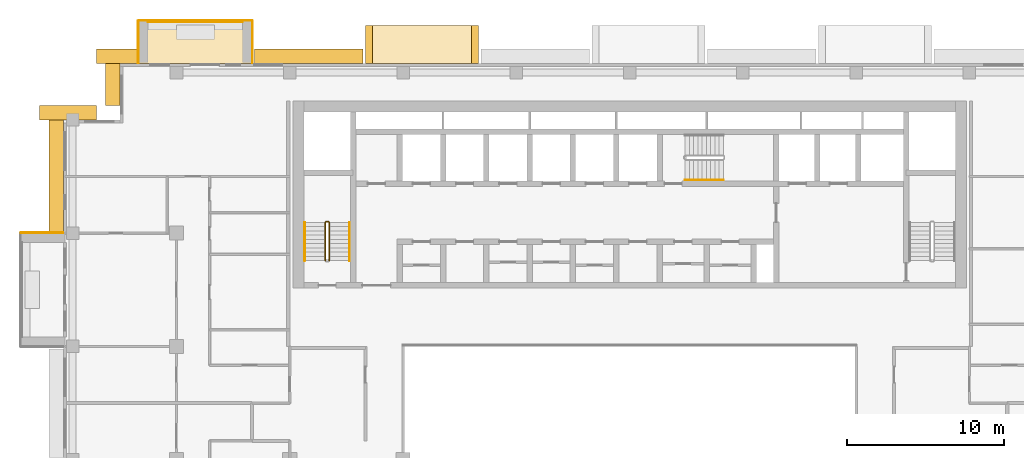
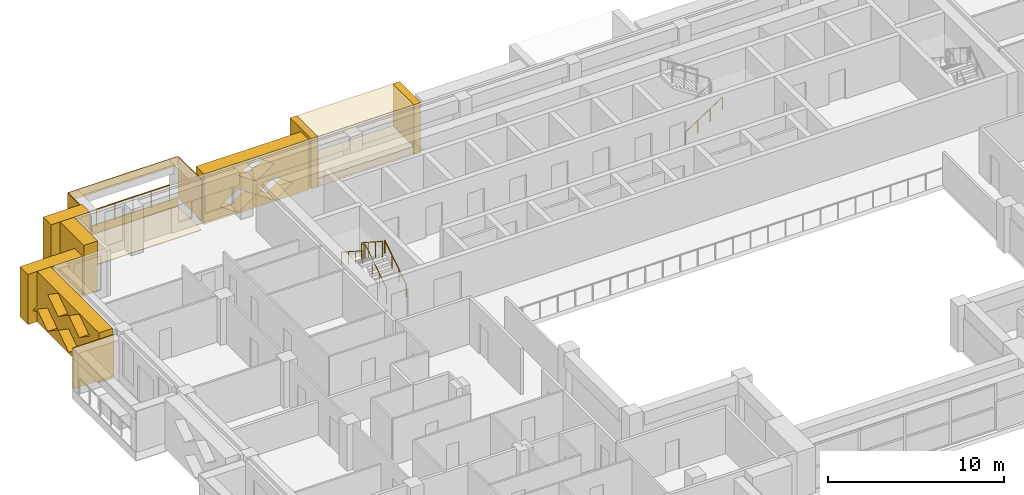
# One storey, part 18 of 20: 15 coverings, 5 railings.
"""IFC4 building model written with IfcOpenShell, lengths in metres."""

from ifc_helpers import new_model, si_unit, direction, frame, origin, origin_2d, place, context, subcontext, project, spatial, polyline, circle, outline, extrude, material, layer, layer_set, type_object, element, save


model = new_model("IFC4")

# Units and contexts
model_context = context("Model", 3, precision=1e-05, world=origin(), true_north=direction((0.0, 1.0)))
body_context = subcontext(model_context, "Body", "Model", "MODEL_VIEW")
ifc_project = project(units=[si_unit("LENGTHUNIT", "METRE"), si_unit("AREAUNIT", "SQUARE_METRE"), si_unit("VOLUMEUNIT", "CUBIC_METRE"), si_unit("PLANEANGLEUNIT", "RADIAN"), si_unit("MASSUNIT", "GRAM", prefix="KILO")], contexts=[model_context])

# Site, building, storey
site_placement = place(None, origin())
site = spatial("IfcSite", under=ifc_project, at=site_placement, CompositionType="ELEMENT")
building_placement = place(site_placement, origin())
building = spatial("IfcBuilding", under=site, at=building_placement, Name="Saffron Iwan Residences", CompositionType="ELEMENT")
storey_placement = place(building_placement, frame((0.0, 0.0, 174.5)))
storey = spatial("IfcBuildingStorey", under=building, at=storey_placement, Name="L46", CompositionType="ELEMENT", Elevation=174.5)

# Railing
ifc_material_1 = material(Name="Stainless steel 316", Category="steel")
railing_type_1 = type_object("IfcRailingType", Name="BALCONY GUARD 1150", PredefinedType="GUARDRAIL", material=ifc_material_1)
railing_1_placement = place(storey_placement, frame((25.800048828125, 83.02490234375, 0.0)))
element("IfcRailing", 1, at=railing_1_placement, inside=storey, type_object=railing_type_1, Name="Balcony guard L46 F5-3", PredefinedType="GUARDRAIL", context=body_context, shape_type="SweptSolid", body=[
    extrude(circle(Radius=0.02392578125, at=origin_2d()), frame((0.0, 0.0, 1.1259765625), z_axis=(-1.0, 0.0, 0.0), x_axis=(0.0, -1.0, 0.0)), (0.0, 0.0, 1.0), 6.0),
    extrude(circle(Radius=0.02099609375, at=origin_2d()), origin(), (0.0, 0.0, 1.0), 1.101806640625),
    extrude(circle(Radius=0.02099609375, at=origin_2d()), frame((-1.199951171875, 0.0, 0.0)), (0.0, 0.0, 1.0), 1.101806640625),
    extrude(circle(Radius=0.02099609375, at=origin_2d()), frame((-2.39990234375, 0.0, 0.0)), (0.0, 0.0, 1.0), 1.101806640625),
    extrude(circle(Radius=0.02099609375, at=origin_2d()), frame((-3.60009765625, 0.0, 0.0)), (0.0, 0.0, 1.0), 1.101806640625),
    extrude(circle(Radius=0.02099609375, at=origin_2d()), frame((-4.800048828125, 0.0, 0.0)), (0.0, 0.0, 1.0), 1.101806640625),
    extrude(circle(Radius=0.02099609375, at=origin_2d()), frame((-6.0, 0.0, 0.0)), (0.0, 0.0, 1.0), 1.101806640625),
])

# Coverings
ifc_material_2 = material(Name="Precast concrete C40/50 white painted", Category="concrete")
ifc_layer = layer(ifc_material_2, 0.050048828125)
ifc_layer_set = layer_set([ifc_layer], Name="Precast concrete C40/50 white painted")
covering_type_1 = type_object("IfcCoveringType", Name="FRAME SKIN PRECAST WHITE 50", PredefinedType="CLADDING", material=ifc_layer_set)
for number, where, name in (
    (2, (0.0, 0.0, -0.60009765625), "Frame skin slab edge L46 F5-3"),
    (3, (0.0, 0.0, 2.25), "Frame skin fascia L46 F5-3"),
):
    element("IfcCovering", number, at=place(storey_placement, frame(where)), inside=storey, type_object=covering_type_1, Name=name, PredefinedType="CLADDING", context=body_context, shape_type="SweptSolid", body=[
        extrude(outline(polyline([(26.39990234375, 83.14990234375), (19.199951171875, 83.14990234375), (19.199951171875, 83.10009765625), (26.39990234375, 83.10009765625), (26.39990234375, 83.14990234375)])), origin(), (0.0, 0.0, 1.0), 0.60009765625),
    ])
covering_1_placement = place(storey_placement, frame((0.0, 0.0, -0.64990234375)))
element("IfcCovering", 4, at=covering_1_placement, inside=storey, type_object=covering_type_1, Name="Frame skin soffit L46 F5-3", PredefinedType="CLADDING", context=body_context, shape_type="SweptSolid", body=[
    extrude(outline(polyline([(26.39990234375, 83.10009765625), (19.199951171875, 83.10009765625), (19.199951171875, 80.39990234375), (26.39990234375, 80.39990234375), (26.39990234375, 83.10009765625)])), origin(), (0.0, 0.0, 1.0), 0.0498046875),
])
covering_2_placement = place(storey_placement, origin())
element("IfcCovering", 5, at=covering_2_placement, inside=storey, type_object=covering_type_1, Name="Frame skin fin L46 F5-3a", PredefinedType="CLADDING", context=body_context, shape_type="SweptSolid", body=[
    extrude(outline(polyline([(26.449951171875, 83.10009765625), (26.39990234375, 83.10009765625), (26.39990234375, 80.39990234375), (26.449951171875, 80.39990234375), (26.449951171875, 83.10009765625)])), origin(), (0.0, 0.0, 1.0), 2.85009765625),
])
covering_3_placement = place(storey_placement, origin())
element("IfcCovering", 6, at=covering_3_placement, inside=storey, type_object=covering_type_1, Name="Frame skin fin L46 F5-3b", PredefinedType="CLADDING", context=body_context, shape_type="SweptSolid", body=[
    extrude(outline(polyline([(19.199951171875, 83.10009765625), (19.14990234375, 83.10009765625), (19.14990234375, 80.39990234375), (19.199951171875, 80.39990234375), (19.199951171875, 83.10009765625)])), origin(), (0.0, 0.0, 1.0), 2.85009765625),
])
covering_4_placement = place(storey_placement, origin())
element("IfcCovering", 7, at=covering_4_placement, inside=storey, type_object=covering_type_1, Name="Frame skin fin L46 F8-0a", PredefinedType="CLADDING", context=body_context, shape_type="SweptSolid", body=[
    extrude(outline(polyline([(11.699951171875, 69.64990234375), (11.699951171875, 69.60009765625), (14.39990234375, 69.60009765625), (14.39990234375, 69.64990234375), (11.699951171875, 69.64990234375)])), origin(), (0.0, 0.0, 1.0), 2.85009765625),
])
ifc_material_3 = material(Name="Precast concrete C40/50", Category="concrete")
covering_type_2 = type_object("IfcCoveringType", Name="OUTER SKIN LATTICE SCREEN", PredefinedType="CLADDING", material=ifc_material_3)
covering_5_placement = place(storey_placement, frame((33.449951171875, 80.39990234375, -0.300048828125), z_axis=(0.0, 1.0, 0.0), x_axis=(-1.0, 0.0, 0.0)))
element("IfcCovering", 8, at=covering_5_placement, inside=storey, type_object=covering_type_2, Name="OUTER SKIN lattice screen L46 F5.3", PredefinedType="CLADDING", context=body_context, shape_type="SweptSolid", body=[
    extrude(outline(polyline([(0.0, 0.0), (6.89990234375, 0.0), (6.89990234375, 3.5), (0.0, 3.5), (0.0, 0.0)]), holes=[polyline([(1.070068359375, 0.875), (2.25, 0.06005859375), (3.429931640625, 0.875), (2.25, 1.68994140625), (1.070068359375, 0.875)]), polyline([(3.469970703125, 0.875), (4.64990234375, 0.06005859375), (5.830078125, 0.875), (4.64990234375, 1.68994140625), (3.469970703125, 0.875)]), polyline([(2.27001953125, 2.625), (3.449951171875, 1.81005859375), (4.6298828125, 2.625), (3.449951171875, 3.43994140625), (2.27001953125, 2.625)])]), origin(), (0.0, 0.0, 1.0), 0.900146484375),
])
covering_6_placement = place(storey_placement, frame((19.050048828125, 80.39990234375, -0.300048828125), z_axis=(0.0, 1.0, 0.0), x_axis=(-1.0, 0.0, 0.0)))
element("IfcCovering", 9, at=covering_6_placement, inside=storey, type_object=covering_type_2, Name="OUTER SKIN lattice screen L46 F5.4", PredefinedType="CLADDING", context=body_context, shape_type="SweptSolid", body=[
    extrude(outline(polyline([(0.0, 0.0), (2.550048828125, 0.0), (2.550048828125, 3.5), (0.0, 3.5), (0.0, 0.0)])), origin(), (0.0, 0.0, 1.0), 0.900146484375),
])
for number, where, z_axis, x_axis, name in (
    (10, (18.0, 81.300048828125, -0.300048828125), (-1.0, 0.0, 0.0), (0.0, -1.0, 0.0), "OUTER SKIN lattice screen L46 F6.0"),
    (11, (16.5, 76.800048828125, -0.300048828125), (0.0, 1.0, 0.0), (-1.0, 0.0, 0.0), "OUTER SKIN lattice screen L46 F7.0"),
):
    element("IfcCovering", number, at=place(storey_placement, frame(where, z_axis=z_axis, x_axis=x_axis)), inside=storey, type_object=covering_type_2, Name=name, PredefinedType="CLADDING", context=body_context, shape_type="SweptSolid", body=[
        extrude(outline(polyline([(0.0, 0.0), (3.60009765625, 0.0), (3.60009765625, 3.5), (0.0, 3.5), (0.0, 0.0)]), holes=[polyline([(0.919921875, 0.875), (2.10009765625, 0.06005859375), (3.280029296875, 0.875), (2.10009765625, 1.68994140625), (0.919921875, 0.875)])]), origin(), (0.0, 0.0, 1.0), 0.89990234375),
    ])
covering_7_placement = place(storey_placement, frame((14.39990234375, 77.699951171875, -0.300048828125), z_axis=(-1.0, 0.0, 0.0), x_axis=(0.0, -1.0, 0.0)))
element("IfcCovering", 12, at=covering_7_placement, inside=storey, type_object=covering_type_2, Name="OUTER SKIN lattice screen L46 F8.0", PredefinedType="CLADDING", context=body_context, shape_type="SweptSolid", body=[
    extrude(outline(polyline([(0.0, 0.0), (7.949951171875, 0.0), (7.949951171875, 3.5), (0.0, 3.5), (0.0, 0.0)]), holes=[polyline([(0.919921875, 0.875), (2.10009765625, 0.06005859375), (3.280029296875, 0.875), (2.10009765625, 1.68994140625), (0.919921875, 0.875)]), polyline([(3.320068359375, 0.875), (4.5, 0.06005859375), (5.679931640625, 0.875), (4.5, 1.68994140625), (3.320068359375, 0.875)]), polyline([(2.1201171875, 2.625), (3.300048828125, 1.81005859375), (4.47998046875, 2.625), (3.300048828125, 3.43994140625), (2.1201171875, 2.625)]), polyline([(4.52001953125, 2.625), (5.699951171875, 1.81005859375), (6.8798828125, 2.625), (5.699951171875, 3.43994140625), (4.52001953125, 2.625)])]), origin(), (0.0, 0.0, 1.0), 0.89990234375),
])

# Railings
ifc_material_4 = material(Name="Steel S355", Category="steel")
railing_type_2 = type_object("IfcRailingType", Name="Stair guard 1100", PredefinedType="GUARDRAIL", material=ifc_material_4)
railing_2_placement = place(storey_placement, frame((31.300048828125, 67.85009765625, 0.175048828125)))
element("IfcRailing", 13, at=railing_2_placement, inside=storey, type_object=railing_type_2, Name="L46 ST-W stair guard 1", PredefinedType="GUARDRAIL", context=body_context, shape_type="SweptSolid", body=[
    extrude(circle(Radius=0.02392578125, at=origin_2d()), frame((0.0, 0.0, 1.076171875), z_axis=(0.0, 0.839153699163, 0.543894354798), x_axis=(-1.0, 0.0, 0.0)), (0.0, 0.0, 1.0), 2.895751953125),
    extrude(circle(Radius=0.02392578125, at=origin_2d()), frame((0.0, 2.429931640625, 2.65087890625), z_axis=(-0.707106781187, 0.707106781187, 0.0), x_axis=(-0.707106781187, -0.707106781187, 0.0)), (0.0, 0.0, 1.0), 0.07080078125),
    extrude(circle(Radius=0.02392578125, at=origin_2d()), frame((-0.050048828125, 2.47998046875, 2.65087890625), z_axis=(-1.0, 0.0, 0.0), x_axis=(0.0, -1.0, 0.0)), (0.0, 0.0, 1.0), 0.14990234375),
    extrude(circle(Radius=0.02392578125, at=origin_2d()), frame((-0.199951171875, 2.47998046875, 2.65087890625), z_axis=(-0.265065253269, -0.265065253269, 0.927081885822), x_axis=(0.707106781187, -0.707106781187, 0.0)), (0.0, 0.0, 1.0), 0.188720703125),
    extrude(circle(Radius=0.02392578125, at=origin_2d()), frame((-0.25, 2.429931640625, 2.826171875), z_axis=(0.0, -0.839153699163, 0.543894354798), x_axis=(1.0, 0.0, 0.0)), (0.0, 0.0, 1.0), 2.895751953125),
    extrude(circle(Radius=0.02099609375, at=origin_2d()), origin(), (0.0, 0.0, 1.0), 1.052001953125),
    extrude(circle(Radius=0.02099609375, at=origin_2d()), frame((0.0, 0.81005859375, 0.52490234375)), (0.0, 0.0, 1.0), 1.052001953125),
    extrude(circle(Radius=0.02099609375, at=origin_2d()), frame((0.0, 1.619873046875, 1.050048828125)), (0.0, 0.0, 1.0), 1.052001953125),
    extrude(circle(Radius=0.02099609375, at=origin_2d()), frame((0.0, 2.429931640625, 1.574951171875)), (0.0, 0.0, 1.0), 1.052001953125),
    extrude(circle(Radius=0.02099609375, at=origin_2d()), frame((-0.050048828125, 2.47998046875, 1.574951171875)), (0.0, 0.0, 1.0), 1.052001953125),
    extrude(circle(Radius=0.02099609375, at=origin_2d()), frame((-0.199951171875, 2.47998046875, 1.574951171875)), (0.0, 0.0, 1.0), 1.052001953125),
    extrude(circle(Radius=0.02099609375, at=origin_2d()), frame((-0.25, 2.429931640625, 1.75)), (0.0, 0.0, 1.0), 1.052001953125),
    extrude(circle(Radius=0.02099609375, at=origin_2d()), frame((-0.25, 1.619873046875, 2.27490234375)), (0.0, 0.0, 1.0), 1.052001953125),
    extrude(circle(Radius=0.02099609375, at=origin_2d()), frame((-0.25, 0.81005859375, 2.800048828125)), (0.0, 0.0, 1.0), 1.052001953125),
    extrude(circle(Radius=0.02099609375, at=origin_2d()), frame((-0.25, 0.0, 3.324951171875)), (0.0, 0.0, 1.0), 1.052001953125),
])
railing_type_3 = type_object("IfcRailingType", Name="Stair handrail 900", PredefinedType="HANDRAIL", material=ifc_material_1)
railing_3_placement = place(storey_placement, frame((32.60009765625, 67.85009765625, 0.175048828125)))
element("IfcRailing", 14, at=railing_3_placement, inside=storey, type_object=railing_type_3, Name="L46 ST-W stair handrail 1", PredefinedType="HANDRAIL", context=body_context, shape_type="SweptSolid", body=[
    extrude(circle(Radius=0.02392578125, at=origin_2d()), frame((0.0, 0.0, 0.8759765625), z_axis=(0.0, 0.839153699163, 0.543894354798), x_axis=(-1.0, 0.0, 0.0)), (0.0, 0.0, 1.0), 2.895751953125),
    extrude(circle(Radius=0.02099609375, at=origin_2d()), origin(), (0.0, 0.0, 1.0), 0.851806640625),
    extrude(circle(Radius=0.02099609375, at=origin_2d()), frame((0.0, 0.81005859375, 0.52490234375)), (0.0, 0.0, 1.0), 0.851806640625),
    extrude(circle(Radius=0.02099609375, at=origin_2d()), frame((0.0, 1.619873046875, 1.050048828125)), (0.0, 0.0, 1.0), 0.851806640625),
    extrude(circle(Radius=0.02099609375, at=origin_2d()), frame((0.0, 2.429931640625, 1.574951171875)), (0.0, 0.0, 1.0), 0.851806640625),
])
railing_4_placement = place(storey_placement, frame((29.75, 70.280029296875, 1.925048828125)))
element("IfcRailing", 15, at=railing_4_placement, inside=storey, type_object=railing_type_3, Name="L46 ST-W stair handrail 2", PredefinedType="HANDRAIL", context=body_context, shape_type="SweptSolid", body=[
    extrude(circle(Radius=0.02392578125, at=origin_2d()), frame((0.0, 0.0, 0.8759765625), z_axis=(0.0, -0.839153699163, 0.543894354798), x_axis=(1.0, 0.0, 0.0)), (0.0, 0.0, 1.0), 2.895751953125),
    extrude(circle(Radius=0.02099609375, at=origin_2d()), origin(), (0.0, 0.0, 1.0), 0.851806640625),
    extrude(circle(Radius=0.02099609375, at=origin_2d()), frame((0.0, -0.81005859375, 0.52490234375)), (0.0, 0.0, 1.0), 0.851806640625),
    extrude(circle(Radius=0.02099609375, at=origin_2d()), frame((0.0, -1.619873046875, 1.050048828125)), (0.0, 0.0, 1.0), 0.851806640625),
    extrude(circle(Radius=0.02099609375, at=origin_2d()), frame((0.0, -2.429931640625, 1.574951171875)), (0.0, 0.0, 1.0), 0.851806640625),
])
railing_5_placement = place(storey_placement, frame((53.925048828125, 72.97509765625, 0.175048828125)))
element("IfcRailing", 16, at=railing_5_placement, inside=storey, type_object=railing_type_3, Name="L46 ST-C stair handrail 1", PredefinedType="HANDRAIL", context=body_context, shape_type="SweptSolid", body=[
    extrude(circle(Radius=0.02392578125, at=origin_2d()), frame((0.0, 0.0, 0.8759765625), z_axis=(0.839153699163, 0.0, 0.543894354798), x_axis=(0.0, 1.0, 0.0)), (0.0, 0.0, 1.0), 2.895751953125),
    extrude(circle(Radius=0.02099609375, at=origin_2d()), origin(), (0.0, 0.0, 1.0), 0.851806640625),
    extrude(circle(Radius=0.02099609375, at=origin_2d()), frame((0.81005859375, 0.0, 0.52490234375)), (0.0, 0.0, 1.0), 0.851806640625),
    extrude(circle(Radius=0.02099609375, at=origin_2d()), frame((1.619873046875, 0.0, 1.050048828125)), (0.0, 0.0, 1.0), 0.851806640625),
    extrude(circle(Radius=0.02099609375, at=origin_2d()), frame((2.429931640625, 0.0, 1.574951171875)), (0.0, 0.0, 1.0), 0.851806640625),
])

# Coverings
covering_type_3 = type_object("IfcCoveringType", Name="WHITE SUN FRAME PRECAST", PredefinedType="CLADDING", material=ifc_material_2)
for number, where, z_axis, x_axis, name in (
    (17, (40.800048828125, 80.39990234375, -0.300048828125), (0.0, 1.0, 0.0), (-1.0, 0.0, 0.0), "Sun frame L46 F5 42.0a"),
    (18, (34.050048828125, 80.39990234375, -0.300048828125), (0.0, 1.0, 0.0), (-1.0, 0.0, 0.0), "Sun frame L46 F5 42.0b"),
):
    element("IfcCovering", number, at=place(storey_placement, frame(where, z_axis=z_axis, x_axis=x_axis)), inside=storey, type_object=covering_type_3, Name=name, PredefinedType="CLADDING", context=body_context, shape_type="SweptSolid", body=[
        extrude(outline(polyline([(0.0, 0.0), (0.449951171875, 0.0), (0.449951171875, 3.5), (0.0, 3.5), (0.0, 0.0)])), origin(), (0.0, 0.0, 1.0), 2.400146484375),
    ])
for number, where, z_axis, x_axis, name in (
    (19, (40.35009765625, 80.39990234375, 2.60009765625), (0.0, 1.0, 0.0), (-1.0, 0.0, 0.0), "Sun frame L46 F5 42.0h"),
    (20, (40.35009765625, 80.39990234375, -0.300048828125), (0.0, 1.0, 0.0), (-1.0, 0.0, 0.0), "Sun frame L46 F5 42.0s"),
):
    element("IfcCovering", number, at=place(storey_placement, frame(where, z_axis=z_axis, x_axis=x_axis)), inside=storey, type_object=covering_type_3, Name=name, PredefinedType="CLADDING", context=body_context, shape_type="SweptSolid", body=[
        extrude(outline(polyline([(0.0, 0.0), (6.300048828125, 0.0), (6.300048828125, 0.60009765625), (0.0, 0.60009765625), (0.0, 0.0)])), origin(), (0.0, 0.0, 1.0), 2.400146484375),
    ])

save(model, "model.ifc")
